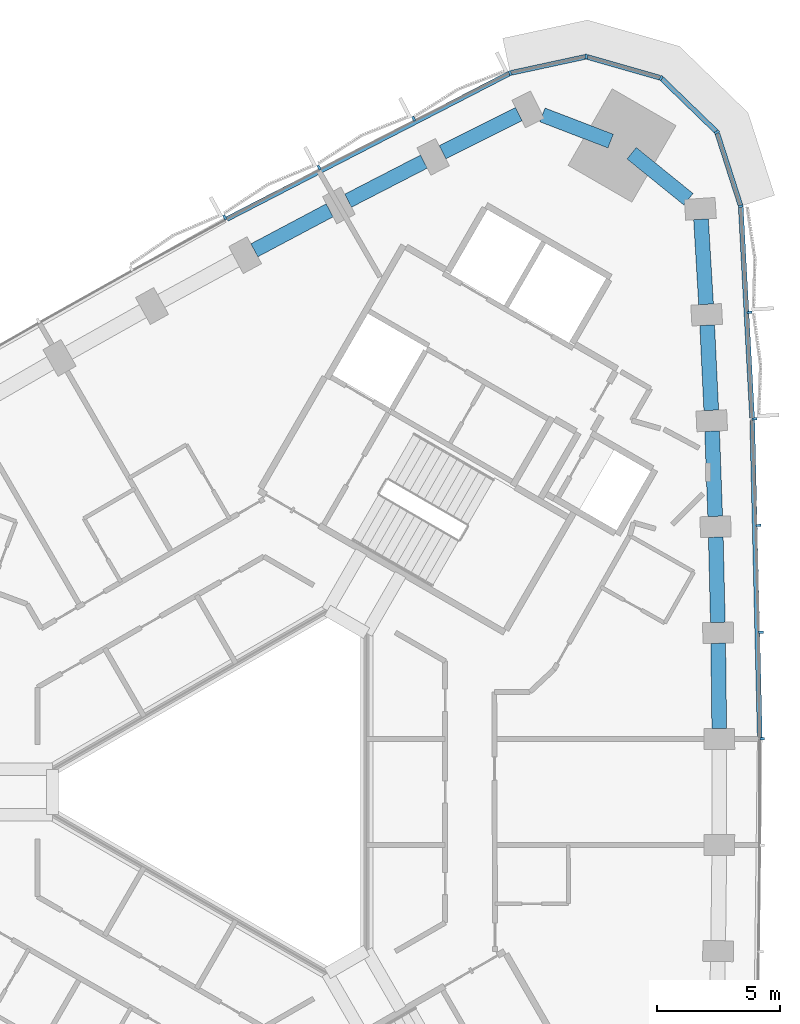
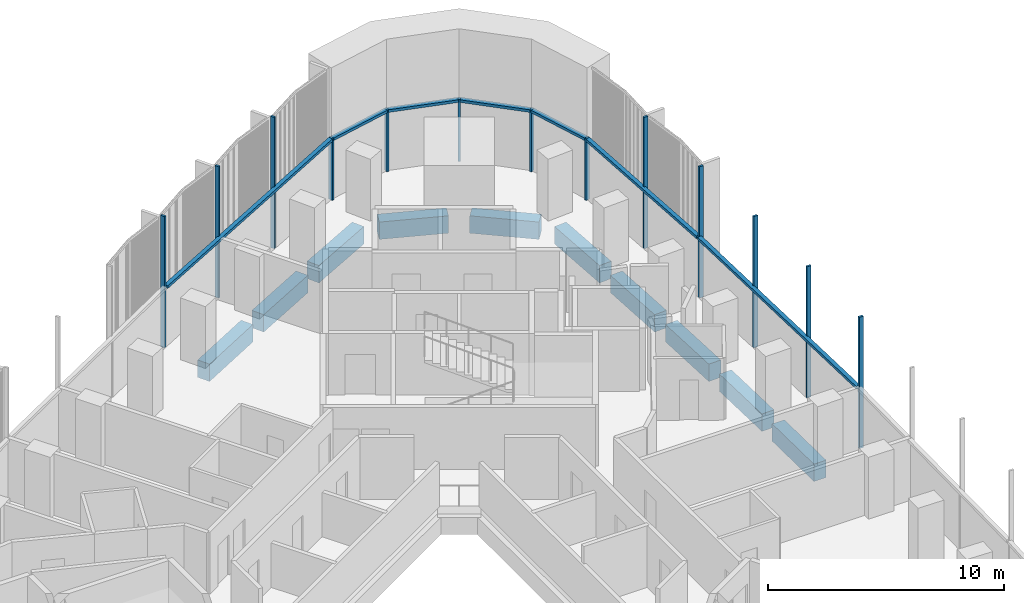
# One storey, part 5 of 15: 20 members, 10 beams, 2 elements without a shape of their own.
"""IFC4 building model written with IfcOpenShell, lengths in metres."""

from ifc_helpers import new_model, si_unit, direction, frame, origin, origin_2d, place, context, subcontext, project, spatial, rectangle, extrude, material, material_profile, profile_set, type_object, element, aggregate, save


model = new_model("IFC4")

# Units and contexts
model_context = context("Model", 3, precision=1e-05, world=origin(), true_north=direction((0.0, 1.0)))
body_context = subcontext(model_context, "Body", "Model", "MODEL_VIEW")
ifc_project = project(units=[si_unit("LENGTHUNIT", "METRE"), si_unit("AREAUNIT", "SQUARE_METRE"), si_unit("VOLUMEUNIT", "CUBIC_METRE"), si_unit("PLANEANGLEUNIT", "RADIAN"), si_unit("MASSUNIT", "GRAM", prefix="KILO")], contexts=[model_context])

# Site, building, storey
site_placement = place(None, origin())
site = spatial("IfcSite", under=ifc_project, at=site_placement, CompositionType="ELEMENT")
building_placement = place(site_placement, origin())
building = spatial("IfcBuilding", under=site, at=building_placement, Name="Tamra Quay Hotel Tower", CompositionType="ELEMENT")
storey_placement = place(building_placement, frame((0.0, 0.0, 157.60009765625)))
storey = spatial("IfcBuildingStorey", under=building, at=storey_placement, Name="L39", CompositionType="ELEMENT", Elevation=157.60009765625)

# Curtain wall, members
ifc_material_1 = material(Name="Aluminium 6063 anodised dark grey", Category="aluminium")
curtain_wall_type_1 = type_object("IfcCurtainWallType", Name="CW1 CURTAIN WALL", PredefinedType="NOTDEFINED", material=ifc_material_1)
curtain_wall_1_placement = place(storey_placement, origin())
curtain_wall_1 = element("IfcCurtainWall", 1, at=curtain_wall_1_placement, inside=storey, type_object=curtain_wall_type_1, Name="CW1 east face L39", PredefinedType="NOTDEFINED")
ifc_material_profile_1 = material_profile(ifc_material_1, rectangle(XDim=0.199951171875, YDim=0.10009765625, at=origin_2d()), Name="MULLION 100X200")
ifc_profile_set_1 = profile_set([ifc_material_profile_1], Name="Aluminium 6063 anodised dark grey")
member_type_1 = type_object("IfcMemberType", Name="MULLION CW1 Z3", PredefinedType="MULLION", material=ifc_profile_set_1)
member_1_placement = place(storey_placement, frame((20.919677734375, 2.171875, 0.0), z_axis=(0.0, 0.0, 1.0), x_axis=(0.99998212789, 0.005978620244, 0.0)))
member_1 = element("IfcMember", 2, at=member_1_placement, type_object=member_type_1, Name="CW1 mullion L39.E.7", PredefinedType="MULLION", context=body_context, shape_type="SweptSolid", body=[
    extrude(rectangle(XDim=0.199951171875, YDim=0.10009765625, at=origin_2d()), origin(), (0.0, 0.0, 1.0), 6.7998046875),
])
member_2_placement = place(storey_placement, frame((20.867919921875, 6.514404296875, 0.0), z_axis=(0.0, 0.0, 1.0), x_axis=(0.999839299777, 0.017926924493, 0.0)))
member_2 = element("IfcMember", 3, at=member_2_placement, type_object=member_type_1, Name="CW1 mullion L39.E.8", PredefinedType="MULLION", context=body_context, shape_type="SweptSolid", body=[
    extrude(rectangle(XDim=0.199951171875, YDim=0.10009765625, at=origin_2d()), origin(), (0.0, 0.0, 1.0), 6.7998046875),
])
member_3_placement = place(storey_placement, frame((20.763916015625, 10.857177734375, 0.0), z_axis=(0.0, 0.0, 1.0), x_axis=(0.999553759324, 0.029871093397, 0.0)))
member_3 = element("IfcMember", 4, at=member_3_placement, type_object=member_type_1, Name="CW1 mullion L39.E.9", PredefinedType="MULLION", context=body_context, shape_type="SweptSolid", body=[
    extrude(rectangle(XDim=0.199951171875, YDim=0.10009765625, at=origin_2d()), origin(), (0.0, 0.0, 1.0), 6.7998046875),
])
member_4_placement = place(storey_placement, frame((20.6083984375, 15.197998046875, 0.0), z_axis=(0.0, 0.0, 1.0), x_axis=(0.999126133482, 0.041796762943, 0.0)))
member_4 = element("IfcMember", 5, at=member_4_placement, type_object=member_type_1, Name="CW1 mullion L39.E.10", PredefinedType="MULLION", context=body_context, shape_type="SweptSolid", body=[
    extrude(rectangle(XDim=0.199951171875, YDim=0.10009765625, at=origin_2d()), origin(), (0.0, 0.0, 1.0), 6.7998046875),
])
member_5_placement = place(storey_placement, frame((20.40087890625, 19.5361328125, 0.0), z_axis=(0.0, 0.0, 1.0), x_axis=(0.998557357992, 0.053695463492, 0.0)))
member_5 = element("IfcMember", 6, at=member_5_placement, type_object=member_type_1, Name="CW1 mullion L39.E.11", PredefinedType="MULLION", context=body_context, shape_type="SweptSolid", body=[
    extrude(rectangle(XDim=0.199951171875, YDim=0.10009765625, at=origin_2d()), origin(), (0.0, 0.0, 1.0), 6.7998046875),
])
member_6_placement = place(storey_placement, frame((20.042236328125, 23.864990234375, 0.0), z_axis=(0.0, 0.0, 1.0), x_axis=(0.982883191402, 0.184229834881, 0.0)))
member_6 = element("IfcMember", 7, at=member_6_placement, type_object=member_type_1, Name="CW1 mullion L39.E.12", PredefinedType="MULLION", context=body_context, shape_type="SweptSolid", body=[
    extrude(rectangle(XDim=0.199951171875, YDim=0.10009765625, at=origin_2d()), origin(), (0.0, 0.0, 1.0), 3.199951171875),
])
member_7_placement = place(storey_placement, frame((19.072265625, 26.883544921875, 0.0), z_axis=(0.0, 0.0, 1.0), x_axis=(0.849197833806, 0.52807484229, 0.0)))
member_7 = element("IfcMember", 8, at=member_7_placement, type_object=member_type_1, Name="CW1 mullion L39.E.13", PredefinedType="MULLION", context=body_context, shape_type="SweptSolid", body=[
    extrude(rectangle(XDim=0.199951171875, YDim=0.10009765625, at=origin_2d()), origin(), (0.0, 0.0, 1.0), 3.199951171875),
])
member_8_placement = place(storey_placement, frame((16.794189453125, 29.088134765625, 0.0), z_axis=(0.0, 0.0, 1.0), x_axis=(0.5, 0.866025403784, 0.0)))
member_8 = element("IfcMember", 9, at=member_8_placement, type_object=member_type_1, Name="CW1 mullion L39.E.14", PredefinedType="MULLION", context=body_context, shape_type="SweptSolid", body=[
    extrude(rectangle(XDim=0.199951171875, YDim=0.10009765625, at=origin_2d()), origin(), (0.0, 0.0, 1.0), 3.199951171875),
])
member_9_placement = place(storey_placement, frame((13.74560546875, 29.958740234375, 0.0), z_axis=(0.0, 0.0, 1.0), x_axis=(0.032727311619, 0.99946431806, 0.0)))
member_9 = element("IfcMember", 10, at=member_9_placement, type_object=member_type_1, Name="CW1 mullion L39.E.15", PredefinedType="MULLION", context=body_context, shape_type="SweptSolid", body=[
    extrude(rectangle(XDim=0.199951171875, YDim=0.10009765625, at=origin_2d()), origin(), (0.0, 0.0, 1.0), 3.199951171875),
])

curtain_wall_type_2 = type_object("IfcCurtainWallType", Name="CW2 CURTAIN WALL", PredefinedType="NOTDEFINED", material=ifc_material_1)
curtain_wall_2_placement = place(storey_placement, origin())
curtain_wall_2 = element("IfcCurtainWall", 11, at=curtain_wall_2_placement, inside=storey, type_object=curtain_wall_type_2, Name="CW2 north-west face L39", PredefinedType="NOTDEFINED")
ifc_material_profile_2 = material_profile(ifc_material_1, rectangle(XDim=0.199951171875, YDim=0.10009765625, at=origin_2d()), Name="MULLION 100X200")
ifc_profile_set_2 = profile_set([ifc_material_profile_2], Name="Aluminium 6063 anodised dark grey")
member_type_2 = type_object("IfcMemberType", Name="MULLION CW2 Z3", PredefinedType="MULLION", material=ifc_profile_set_2)
member_10_placement = place(storey_placement, frame((10.646728515625, 29.28955078125, 0.0), z_axis=(0.0, 0.0, 1.0), x_axis=(-0.331893878559, 0.943316730147, 0.0)))
member_10 = element("IfcMember", 12, at=member_10_placement, type_object=member_type_2, Name="CW2 mullion L39.NW.1", PredefinedType="MULLION", context=body_context, shape_type="SweptSolid", body=[
    extrude(rectangle(XDim=0.199951171875, YDim=0.10009765625, at=origin_2d()), origin(), (0.0, 0.0, 1.0), 3.199951171875),
])
member_11_placement = place(storey_placement, frame((6.71826171875, 27.435791015625, 0.0), z_axis=(0.0, 0.0, 1.0), x_axis=(-0.452777043544, 0.891623770903, 0.0)))
member_11 = element("IfcMember", 13, at=member_11_placement, type_object=member_type_2, Name="CW2 mullion L39.NW.2", PredefinedType="MULLION", context=body_context, shape_type="SweptSolid", body=[
    extrude(rectangle(XDim=0.199951171875, YDim=0.10009765625, at=origin_2d()), origin(), (0.0, 0.0, 1.0), 6.7998046875),
])
member_12_placement = place(storey_placement, frame((2.85791015625, 25.4462890625, 0.0), z_axis=(0.0, 0.0, 1.0), x_axis=(-0.463366008237, 0.886166994652, 0.0)))
member_12 = element("IfcMember", 14, at=member_12_placement, type_object=member_type_2, Name="CW2 mullion L39.NW.3", PredefinedType="MULLION", context=body_context, shape_type="SweptSolid", body=[
    extrude(rectangle(XDim=0.199951171875, YDim=0.10009765625, at=origin_2d()), origin(), (0.0, 0.0, 1.0), 6.7998046875),
])
member_13_placement = place(storey_placement, frame((-0.9794921875, 23.41064453125, 0.0), z_axis=(0.0, 0.0, 1.0), x_axis=(-0.473907753941, 0.880574494722, 0.0)))
member_13 = element("IfcMember", 15, at=member_13_placement, type_object=member_type_2, Name="CW2 mullion L39.NW.4", PredefinedType="MULLION", context=body_context, shape_type="SweptSolid", body=[
    extrude(rectangle(XDim=0.199951171875, YDim=0.10009765625, at=origin_2d()), origin(), (0.0, 0.0, 1.0), 6.7998046875),
])

# Beams
ifc_material_2 = material(Name="Concrete M60", Category="concrete")
ifc_material_profile_3 = material_profile(ifc_material_2, rectangle(XDim=0.60009765625, YDim=0.89990234375, at=origin_2d()), Name="SPANDREL BEAM RC 600x900")
ifc_profile_set_3 = profile_set([ifc_material_profile_3], Name="Concrete M60")
beam_type = type_object("IfcBeamType", Name="SPANDREL BEAM RC 600x900", PredefinedType="SPANDREL", material=ifc_profile_set_3)
beam_1_placement = place(storey_placement, frame((19.165771484375, 2.586181640625, -0.85009765625), z_axis=(-0.011951617666, 0.999928576867, 0.0), x_axis=(-0.999928576867, -0.011951617666, 0.0)))
element("IfcBeam", 16, at=beam_1_placement, inside=storey, type_object=beam_type, Name="BM-SP3-006-L39", PredefinedType="SPANDREL", context=body_context, shape_type="SweptSolid", body=[
    extrude(rectangle(XDim=0.60009765625, YDim=0.89990234375, at=origin_2d()), origin(), (0.0, 0.0, 1.0), 3.47265625),
])
beam_2_placement = place(storey_placement, frame((19.10888671875, 6.90869140625, -0.85009765625), z_axis=(-0.023906514803, 0.999714198434, 0.0), x_axis=(-0.999714198434, -0.023906514803, 0.0)))
element("IfcBeam", 17, at=beam_2_placement, inside=storey, type_object=beam_type, Name="BM-SP3-007-L39", PredefinedType="SPANDREL", context=body_context, shape_type="SweptSolid", body=[
    extrude(rectangle(XDim=0.60009765625, YDim=0.89990234375, at=origin_2d()), origin(), (0.0, 0.0, 1.0), 3.47216796875),
])
beam_3_placement = place(storey_placement, frame((19.00048828125, 11.2294921875, -0.85009765625), z_axis=(-0.035786826945, 0.999359446354, 0.0), x_axis=(-0.999359446354, -0.035786826945, 0.0)))
element("IfcBeam", 18, at=beam_3_placement, inside=storey, type_object=beam_type, Name="BM-SP3-008-L39", PredefinedType="SPANDREL", context=body_context, shape_type="SweptSolid", body=[
    extrude(rectangle(XDim=0.60009765625, YDim=0.89990234375, at=origin_2d()), origin(), (0.0, 0.0, 1.0), 3.472412109375),
])
beam_4_placement = place(storey_placement, frame((18.840576171875, 15.548828125, -0.85009765625), z_axis=(-0.047732145575, 0.998860171535, 0.0), x_axis=(-0.998860171535, -0.047732145575, 0.0)))
element("IfcBeam", 19, at=beam_4_placement, inside=storey, type_object=beam_type, Name="BM-SP3-009-L39", PredefinedType="SPANDREL", context=body_context, shape_type="SweptSolid", body=[
    extrude(rectangle(XDim=0.60009765625, YDim=0.89990234375, at=origin_2d()), origin(), (0.0, 0.0, 1.0), 3.472900390625),
])
beam_5_placement = place(storey_placement, frame((18.629150390625, 19.86669921875, -0.85009765625), z_axis=(-0.059620475238, 0.998221117254, 0.0), x_axis=(-0.998221117254, -0.059620475238, 0.0)))
element("IfcBeam", 20, at=beam_5_placement, inside=storey, type_object=beam_type, Name="BM-SP3-010-L39", PredefinedType="SPANDREL", context=body_context, shape_type="SweptSolid", body=[
    extrude(rectangle(XDim=0.60009765625, YDim=0.89990234375, at=origin_2d()), origin(), (0.0, 0.0, 1.0), 3.472412109375),
])
beam_6_placement = place(storey_placement, frame((17.909912109375, 24.151123046875, -0.85009765625), z_axis=(-0.777183767602, 0.629273701482, 0.0), x_axis=(-0.629273701482, -0.777183767602, 0.0)))
element("IfcBeam", 21, at=beam_6_placement, inside=storey, type_object=beam_type, Name="BM-SP3-011-L39", PredefinedType="SPANDREL", context=body_context, shape_type="SweptSolid", body=[
    extrude(rectangle(XDim=0.60009765625, YDim=0.89990234375, at=origin_2d()), origin(), (0.0, 0.0, 1.0), 2.977783203125),
])
beam_7_placement = place(storey_placement, frame((14.74072265625, 26.5185546875, -0.85009765625), z_axis=(-0.933527198951, 0.358506581278, 0.0), x_axis=(-0.358506581278, -0.933527198951, 0.0)))
element("IfcBeam", 22, at=beam_7_placement, inside=storey, type_object=beam_type, Name="BM-SP3-012-L39", PredefinedType="SPANDREL", context=body_context, shape_type="SweptSolid", body=[
    extrude(rectangle(XDim=0.60009765625, YDim=0.89990234375, at=origin_2d()), origin(), (0.0, 0.0, 1.0), 2.97802734375),
])
beam_8_placement = place(storey_placement, frame((10.995849609375, 27.620361328125, -0.85009765625), z_axis=(-0.894314670292, -0.447438566174, 0.0), x_axis=(0.447438566174, -0.894314670292, 0.0)))
element("IfcBeam", 23, at=beam_8_placement, inside=storey, type_object=beam_type, Name="BM-SP3-013-L39", PredefinedType="SPANDREL", context=body_context, shape_type="SweptSolid", body=[
    extrude(rectangle(XDim=0.60009765625, YDim=0.89990234375, at=origin_2d()), origin(), (0.0, 0.0, 1.0), 3.472412109375),
])
beam_9_placement = place(storey_placement, frame((7.132568359375, 25.681640625, -0.85009765625), z_axis=(-0.888919913451, -0.458062645792, 0.0), x_axis=(0.458062645792, -0.888919913451, 0.0)))
element("IfcBeam", 24, at=beam_9_placement, inside=storey, type_object=beam_type, Name="BM-SP3-014-L39", PredefinedType="SPANDREL", context=body_context, shape_type="SweptSolid", body=[
    extrude(rectangle(XDim=0.60009765625, YDim=0.89990234375, at=origin_2d()), origin(), (0.0, 0.0, 1.0), 3.472900390625),
])
beam_10_placement = place(storey_placement, frame((3.292236328125, 23.697021484375, -0.85009765625), z_axis=(-0.883411391477, -0.468598243071, 0.0), x_axis=(0.468598243071, -0.883411391477, 0.0)))
element("IfcBeam", 25, at=beam_10_placement, inside=storey, type_object=beam_type, Name="BM-SP3-015-L39", PredefinedType="SPANDREL", context=body_context, shape_type="SweptSolid", body=[
    extrude(rectangle(XDim=0.60009765625, YDim=0.89990234375, at=origin_2d()), origin(), (0.0, 0.0, 1.0), 3.472412109375),
])

# Member
ifc_material_profile_4 = material_profile(ifc_material_1, rectangle(XDim=0.199951171875, YDim=0.139892578125, at=origin_2d()), Name="TRANSOM 200X140")
ifc_profile_set_4 = profile_set([ifc_material_profile_4], Name="Aluminium 6063 anodised dark grey")
member_type_3 = type_object("IfcMemberType", Name="TRANSOM CW1 Z3", PredefinedType="USERDEFINED", material=ifc_profile_set_4)
member_14_placement = place(storey_placement, frame((20.819091796875, 2.22119140625, 3.1298828125), z_axis=(-0.023891765039, 0.999714551041, 0.0), x_axis=(-0.999714551041, -0.023891765039, 0.0)))
member_14 = element("IfcMember", 26, at=member_14_placement, type_object=member_type_3, Name="CW1 transom L39.E.7", ObjectType="TRANSOM", PredefinedType="USERDEFINED", context=body_context, shape_type="SweptSolid", body=[
    extrude(rectangle(XDim=0.199951171875, YDim=0.139892578125, at=origin_2d()), origin(), (0.0, 0.0, 1.0), 12.926513671875),
])

member_15_placement = place(storey_placement, frame((20.506103515625, 15.243896484375, 3.1298828125), z_axis=(-0.053699324936, 0.998557150343, 0.0), x_axis=(-0.998557150343, -0.053699324936, 0.0)))
member_15 = element("IfcMember", 27, at=member_15_placement, type_object=member_type_3, Name="CW1 transom L39.E.10", ObjectType="TRANSOM", PredefinedType="USERDEFINED", context=body_context, shape_type="SweptSolid", body=[
    extrude(rectangle(XDim=0.199951171875, YDim=0.139892578125, at=origin_2d()), origin(), (0.0, 0.0, 1.0), 8.583740234375),
])

member_16_placement = place(storey_placement, frame((20.02685546875, 23.91259765625, 3.1298828125), z_axis=(-0.30588048859, 0.952069916918, 0.0), x_axis=(-0.952069916918, -0.30588048859, 0.0)))
member_16 = element("IfcMember", 28, at=member_16_placement, type_object=member_type_3, Name="CW1 transom L39.E.12", ObjectType="TRANSOM", PredefinedType="USERDEFINED", context=body_context, shape_type="SweptSolid", body=[
    extrude(rectangle(XDim=0.199951171875, YDim=0.139892578125, at=origin_2d()), origin(), (0.0, 0.0, 1.0), 3.070556640625),
])

member_17_placement = place(storey_placement, frame((19.036376953125, 26.918212890625, 3.1298828125), z_axis=(-0.71858163235, 0.695442619955, 0.0), x_axis=(-0.695442619955, -0.71858163235, 0.0)))
member_17 = element("IfcMember", 29, at=member_17_placement, type_object=member_type_3, Name="CW1 transom L39.E.13", ObjectType="TRANSOM", PredefinedType="USERDEFINED", context=body_context, shape_type="SweptSolid", body=[
    extrude(rectangle(XDim=0.199951171875, YDim=0.139892578125, at=origin_2d()), origin(), (0.0, 0.0, 1.0), 3.0703125),
])

member_18_placement = place(storey_placement, frame((16.74609375, 29.10205078125, 3.1298828125), z_axis=(-0.961568942949, 0.274563595469, 0.0), x_axis=(-0.274563595469, -0.961568942949, 0.0)))
member_18 = element("IfcMember", 30, at=member_18_placement, type_object=member_type_3, Name="CW1 transom L39.E.14", ObjectType="TRANSOM", PredefinedType="USERDEFINED", context=body_context, shape_type="SweptSolid", body=[
    extrude(rectangle(XDim=0.199951171875, YDim=0.139892578125, at=origin_2d()), origin(), (0.0, 0.0, 1.0), 3.0703125),
])

member_19_placement = place(storey_placement, frame((13.69677734375, 29.9482421875, 3.1298828125), z_axis=(-0.977462525021, -0.211109005445, 0.0), x_axis=(0.211109005445, -0.977462525021, 0.0)))
member_19 = element("IfcMember", 31, at=member_19_placement, type_object=member_type_3, Name="CW1 transom L39.E.15", ObjectType="TRANSOM", PredefinedType="USERDEFINED", context=body_context, shape_type="SweptSolid", body=[
    extrude(rectangle(XDim=0.199951171875, YDim=0.139892578125, at=origin_2d()), origin(), (0.0, 0.0, 1.0), 3.0703125),
])

aggregate(curtain_wall_1, [member_1, member_14, member_2, member_3, member_4, member_15, member_5, member_6, member_16, member_7, member_17, member_8, member_18, member_9, member_19])

ifc_material_profile_5 = material_profile(ifc_material_1, rectangle(XDim=0.199951171875, YDim=0.139892578125, at=origin_2d()), Name="TRANSOM 200X140")
ifc_profile_set_5 = profile_set([ifc_material_profile_5], Name="Aluminium 6063 anodised dark grey")
member_type_4 = type_object("IfcMemberType", Name="TRANSOM CW2 Z3", PredefinedType="USERDEFINED", material=ifc_profile_set_5)
member_20_placement = place(storey_placement, frame((10.60205078125, 29.26708984375, 3.1298828125), z_axis=(-0.888917461153, -0.45806740471, 0.0), x_axis=(0.45806740471, -0.888917461153, 0.0)))
member_20 = element("IfcMember", 32, at=member_20_placement, type_object=member_type_4, Name="CW2 transom L39.NW.1", ObjectType="TRANSOM", PredefinedType="USERDEFINED", context=body_context, shape_type="SweptSolid", body=[
    extrude(rectangle(XDim=0.199951171875, YDim=0.139892578125, at=origin_2d()), origin(), (0.0, 0.0, 1.0), 12.92578125),
])

aggregate(curtain_wall_2, [member_10, member_20, member_11, member_12, member_13])

save(model, "model.ifc")
